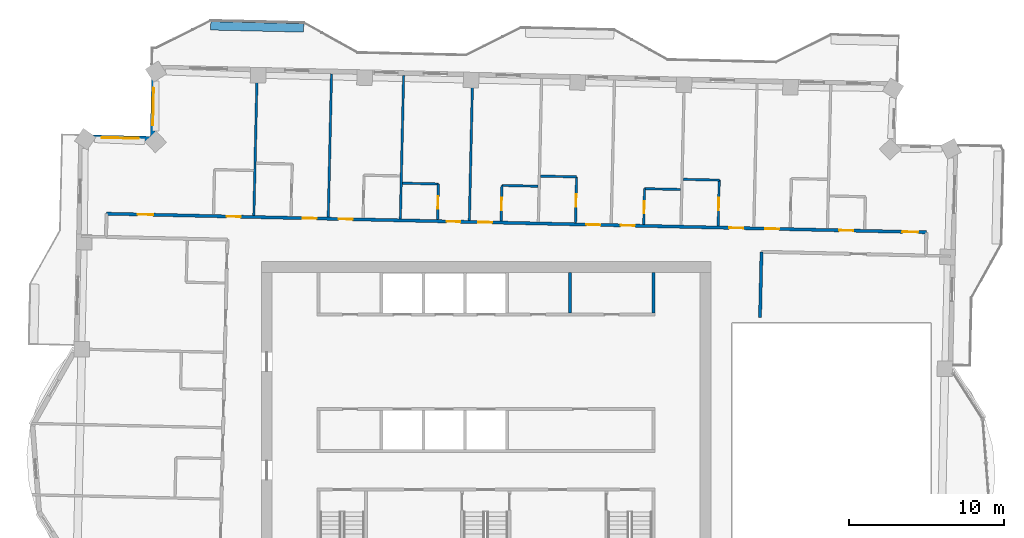
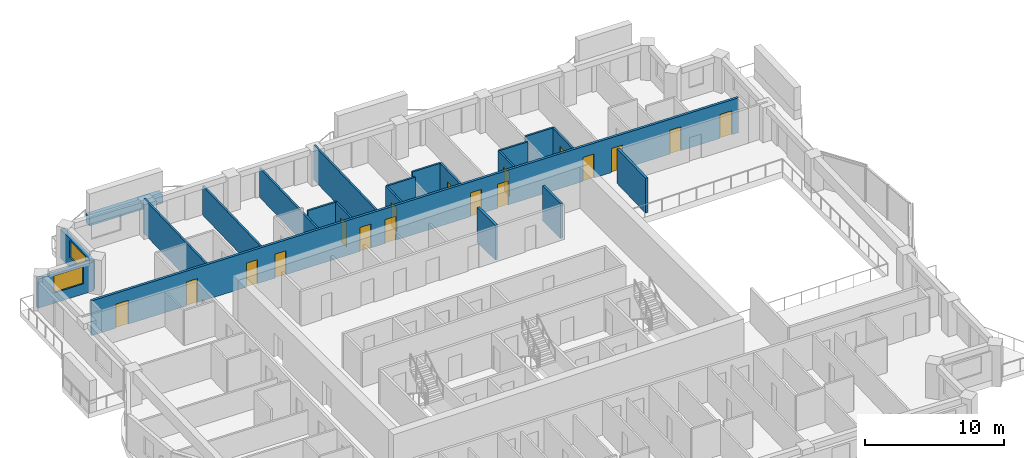
# One storey, part 11 of 17: 21 walls, 17 doors, 2 windows, 19 openings.
"""IFC4 building model written with IfcOpenShell, lengths in metres."""

from ifc_helpers import new_model, si_unit, direction, frame, frame_2d, origin, place, context, subcontext, project, spatial, rectangle, extrude, material, layer, layer_set, type_object, element, fill, save


model = new_model("IFC4")

# Units and contexts
model_context = context("Model", 3, precision=1e-05, world=origin(), true_north=direction((0.0, 1.0)))
body_context = subcontext(model_context, "Body", "Model", "MODEL_VIEW")
ifc_project = project(units=[si_unit("LENGTHUNIT", "METRE"), si_unit("AREAUNIT", "SQUARE_METRE"), si_unit("VOLUMEUNIT", "CUBIC_METRE"), si_unit("PLANEANGLEUNIT", "RADIAN"), si_unit("MASSUNIT", "GRAM", prefix="KILO")], contexts=[model_context])

# Site, building, storey
site_placement = place(None, origin())
site = spatial("IfcSite", under=ifc_project, at=site_placement, CompositionType="ELEMENT")
building_placement = place(site_placement, origin())
building = spatial("IfcBuilding", under=site, at=building_placement, Name="Mangrove Gate Tower", CompositionType="ELEMENT")
storey_placement = place(building_placement, frame((0.0, 0.0, 264.5)))
storey = spatial("IfcBuildingStorey", under=building, at=storey_placement, Name="L67", CompositionType="ELEMENT", Elevation=264.5)

# Walls
ifc_material_1 = material(Name="Concrete C32/40", Category="concrete")
ifc_layer_1 = layer(ifc_material_1, 0.199951171875)
ifc_layer_set_1 = layer_set([ifc_layer_1], Name="Core room wall 200 C32/40")
wall_type_1 = type_object("IfcWallType", Name="Core room wall 200 C32/40", PredefinedType="STANDARD", material=ifc_layer_set_1)
for number, where, z_axis, x_axis, name in (
    (1, (5.39990234375, 8.199951171875, 0.0), (0.0, 0.0, 1.0), (0.0, 1.0, 0.0), "WALL-L67-CORE-30"),
    (2, (10.800048828125, 8.199951171875, 0.0), (0.0, 0.0, 1.0), (0.0, 1.0, 0.0), "WALL-L67-CORE-31"),
):
    element("IfcWall", number, at=place(storey_placement, frame(where, z_axis=z_axis, x_axis=x_axis)), inside=storey, type_object=wall_type_1, Name=name, PredefinedType="STANDARD", context=body_context, shape_type="SweptSolid", body=[
        extrude(rectangle(XDim=2.60009765625, YDim=0.199951171875, at=frame_2d((1.300048828125, 0.0))), origin(), (0.0, 0.0, 1.0), 3.050048828125),
    ])
ifc_material_2 = material(Name="Gypsum board on steel stud, EI 60", Category="steel")
ifc_layer_2 = layer(ifc_material_2, 0.199951171875)
ifc_layer_set_2 = layer_set([ifc_layer_2], Name="Corridor wall EI 60")
wall_type_2 = type_object("IfcWallType", Name="Corridor wall EI 60", PredefinedType="PARTITIONING", material=ifc_layer_set_2)
wall_1_placement = place(storey_placement, frame((17.660888671875, 7.904052734375, 0.0), z_axis=(0.0, 0.0, 1.0), x_axis=(0.022718785711, 0.999741895079, 0.0)))
element("IfcWall", 3, at=wall_1_placement, inside=storey, type_object=wall_type_2, Name="WALL-L67-051", PredefinedType="PARTITIONING", context=body_context, shape_type="SweptSolid", body=[
    extrude(rectangle(XDim=4.23388671875, YDim=0.199951171875, at=frame_2d((2.116943359375, 0.0))), origin(), (0.0, 0.0, 1.0), 3.050048828125),
])

# Wall, openings, doors
wall_2_placement = place(storey_placement, frame((-24.47412109375, 14.595947265625, 0.0), z_axis=(0.0, 0.0, 1.0), x_axis=(0.999742424031, -0.022695497208, 0.0)))
wall_2 = element("IfcWall", 4, at=wall_2_placement, inside=storey, type_object=wall_type_2, Name="WALL-L67-060", PredefinedType="PARTITIONING", context=body_context, shape_type="SweptSolid", body=[
    extrude(rectangle(XDim=52.871826171875, YDim=0.199951171875, at=frame_2d((26.43603515625, 0.0))), origin(), (0.0, 0.0, 1.0), 3.050048828125),
])
opening_1_placement = place(wall_2_placement, frame((51.3359375, 0.0, 0.0)))
opening_1 = element("IfcOpeningElement", 5, at=opening_1_placement, cuts=wall_2, Name="Opening AD", PredefinedType="OPENING", context=body_context, shape_type="SweptSolid", body=[
    extrude(rectangle(XDim=1.0, YDim=2.10009765625, at=frame_2d((0.5, 1.050048828125))), frame((0.0, 0.10986328125, 0.0), z_axis=(0.0, -1.0, 0.0), x_axis=(1.0, 0.0, 0.0)), (0.0, 0.0, 1.0), 0.219970703125),
])
opening_2_placement = place(wall_2_placement, frame((47.25, 0.0, 0.0)))
opening_2 = element("IfcOpeningElement", 6, at=opening_2_placement, cuts=wall_2, Name="Opening SD", PredefinedType="OPENING", context=body_context, shape_type="SweptSolid", body=[
    extrude(rectangle(XDim=0.89990234375, YDim=2.10009765625, at=frame_2d((0.449951171875, 1.050048828125))), frame((0.0, 0.10986328125, 0.0), z_axis=(0.0, -1.0, 0.0), x_axis=(1.0, 0.0, 0.0)), (0.0, 0.0, 1.0), 0.219970703125),
])
opening_3_placement = place(wall_2_placement, frame((42.47509765625, 0.0, 0.0)))
opening_3 = element("IfcOpeningElement", 7, at=opening_3_placement, cuts=wall_2, Name="Opening BD", PredefinedType="OPENING", context=body_context, shape_type="SweptSolid", body=[
    extrude(rectangle(XDim=0.89990234375, YDim=2.10009765625, at=frame_2d((0.449951171875, 1.050048828125))), frame((0.0, 0.10986328125, 0.0), z_axis=(0.0, -1.0, 0.0), x_axis=(1.0, 0.0, 0.0)), (0.0, 0.0, 1.0), 0.219970703125),
])
opening_4_placement = place(wall_2_placement, frame((40.14990234375, 0.0, 0.0)))
opening_4 = element("IfcOpeningElement", 8, at=opening_4_placement, cuts=wall_2, Name="Opening BD", PredefinedType="OPENING", context=body_context, shape_type="SweptSolid", body=[
    extrude(rectangle(XDim=0.89990234375, YDim=2.10009765625, at=frame_2d((0.449951171875, 1.050048828125))), frame((0.0, 0.10986328125, 0.0), z_axis=(0.0, -1.0, 0.0), x_axis=(1.0, 0.0, 0.0)), (0.0, 0.0, 1.0), 0.219970703125),
])
opening_5_placement = place(wall_2_placement, frame((33.14990234375, 0.0, 0.0)))
opening_5 = element("IfcOpeningElement", 9, at=opening_5_placement, cuts=wall_2, Name="Opening BD", PredefinedType="OPENING", context=body_context, shape_type="SweptSolid", body=[
    extrude(rectangle(XDim=0.89990234375, YDim=2.10009765625, at=frame_2d((0.449951171875, 1.050048828125))), frame((0.0, 0.10986328125, 0.0), z_axis=(0.0, -1.0, 0.0), x_axis=(1.0, 0.0, 0.0)), (0.0, 0.0, 1.0), 0.219970703125),
])
opening_6_placement = place(wall_2_placement, frame((30.949951171875, 0.0, 0.0)))
opening_6 = element("IfcOpeningElement", 10, at=opening_6_placement, cuts=wall_2, Name="Opening BD", PredefinedType="OPENING", context=body_context, shape_type="SweptSolid", body=[
    extrude(rectangle(XDim=0.89990234375, YDim=2.10009765625, at=frame_2d((0.449951171875, 1.050048828125))), frame((0.0, 0.10986328125, 0.0), z_axis=(0.0, -1.0, 0.0), x_axis=(1.0, 0.0, 0.0)), (0.0, 0.0, 1.0), 0.219970703125),
])
opening_7_placement = place(wall_2_placement, frame((23.97509765625, 0.0, 0.0)))
opening_7 = element("IfcOpeningElement", 11, at=opening_7_placement, cuts=wall_2, Name="Opening BD", PredefinedType="OPENING", context=body_context, shape_type="SweptSolid", body=[
    extrude(rectangle(XDim=0.89990234375, YDim=2.10009765625, at=frame_2d((0.449951171875, 1.050048828125))), frame((0.0, 0.10986328125, 0.0), z_axis=(0.0, -1.0, 0.0), x_axis=(1.0, 0.0, 0.0)), (0.0, 0.0, 1.0), 0.219970703125),
])
opening_8_placement = place(wall_2_placement, frame((21.925048828125, 0.0, 0.0)))
opening_8 = element("IfcOpeningElement", 12, at=opening_8_placement, cuts=wall_2, Name="Opening BD", PredefinedType="OPENING", context=body_context, shape_type="SweptSolid", body=[
    extrude(rectangle(XDim=0.89990234375, YDim=2.10009765625, at=frame_2d((0.449951171875, 1.050048828125))), frame((0.0, 0.10986328125, 0.0), z_axis=(0.0, -1.0, 0.0), x_axis=(1.0, 0.0, 0.0)), (0.0, 0.0, 1.0), 0.219970703125),
])
opening_9_placement = place(wall_2_placement, frame((14.97509765625, 0.0, 0.0)))
opening_9 = element("IfcOpeningElement", 13, at=opening_9_placement, cuts=wall_2, Name="Opening BD", PredefinedType="OPENING", context=body_context, shape_type="SweptSolid", body=[
    extrude(rectangle(XDim=0.89990234375, YDim=2.10009765625, at=frame_2d((0.449951171875, 1.050048828125))), frame((0.0, 0.10986328125, 0.0), z_axis=(0.0, -1.0, 0.0), x_axis=(1.0, 0.0, 0.0)), (0.0, 0.0, 1.0), 0.219970703125),
])
opening_10_placement = place(wall_2_placement, frame((12.64990234375, 0.0, 0.0)))
opening_10 = element("IfcOpeningElement", 14, at=opening_10_placement, cuts=wall_2, Name="Opening BD", PredefinedType="OPENING", context=body_context, shape_type="SweptSolid", body=[
    extrude(rectangle(XDim=0.89990234375, YDim=2.10009765625, at=frame_2d((0.449951171875, 1.050048828125))), frame((0.0, 0.10986328125, 0.0), z_axis=(0.0, -1.0, 0.0), x_axis=(1.0, 0.0, 0.0)), (0.0, 0.0, 1.0), 0.219970703125),
])
opening_11_placement = place(wall_2_placement, frame((2.0, 0.0, 0.0)))
opening_11 = element("IfcOpeningElement", 15, at=opening_11_placement, cuts=wall_2, Name="Opening AD", PredefinedType="OPENING", context=body_context, shape_type="SweptSolid", body=[
    extrude(rectangle(XDim=1.0, YDim=2.10009765625, at=frame_2d((0.5, 1.050048828125))), frame((0.0, 0.10986328125, 0.0), z_axis=(0.0, -1.0, 0.0), x_axis=(1.0, 0.0, 0.0)), (0.0, 0.0, 1.0), 0.219970703125),
])
opening_12_placement = place(wall_2_placement, frame((7.75, 0.0, 0.0)))
opening_12 = element("IfcOpeningElement", 16, at=opening_12_placement, cuts=wall_2, Name="Opening SD", PredefinedType="OPENING", context=body_context, shape_type="SweptSolid", body=[
    extrude(rectangle(XDim=0.89990234375, YDim=2.10009765625, at=frame_2d((0.449951171875, 1.050048828125))), frame((0.0, 0.10986328125, 0.0), z_axis=(0.0, -1.0, 0.0), x_axis=(1.0, 0.0, 0.0)), (0.0, 0.0, 1.0), 0.219970703125),
])
ifc_material_3 = material(Name="Timber door leaf", Category="wood")
door_type_1 = type_object("IfcDoorType", Name="Amenity door 1000", OperationType="SINGLE_SWING_LEFT", PredefinedType="DOOR", material=ifc_material_3)
door_1_placement = place(opening_1_placement, origin())
door_1 = element("IfcDoor", 17, at=door_1_placement, inside=storey, type_object=door_type_1, Name="DOOR-L67-STU-c3a", OperationType="SINGLE_SWING_LEFT", OverallHeight=2.10009765625, OverallWidth=1.0, PredefinedType="DOOR", context=body_context, shape_type="SweptSolid", body=[
    extrude(rectangle(XDim=1.0, YDim=2.10009765625, at=frame_2d((0.5, 1.050048828125))), frame((0.0, 0.02490234375, 0.0), z_axis=(0.0, -1.0, 0.0), x_axis=(1.0, 0.0, 0.0)), (0.0, 0.0, 1.0), 0.050048828125),
])
fill(opening_1, door_1)
door_2_placement = place(opening_11_placement, origin())
door_2 = element("IfcDoor", 18, at=door_2_placement, inside=storey, type_object=door_type_1, Name="DOOR-L67-GAM-c5a", OperationType="SINGLE_SWING_RIGHT", OverallHeight=2.10009765625, OverallWidth=1.0, PredefinedType="DOOR", context=body_context, shape_type="SweptSolid", body=[
    extrude(rectangle(XDim=1.0, YDim=2.10009765625, at=frame_2d((0.5, 1.050048828125))), frame((0.0, 0.02490234375, 0.0), z_axis=(0.0, -1.0, 0.0), x_axis=(1.0, 0.0, 0.0)), (0.0, 0.0, 1.0), 0.050048828125),
])
fill(opening_11, door_2)
ifc_material_4 = material(Name="Timber door leaf", Category="wood")
door_type_2 = type_object("IfcDoorType", Name="Bedroom door 900", OperationType="SINGLE_SWING_LEFT", PredefinedType="DOOR", material=ifc_material_4)
door_3_placement = place(opening_3_placement, origin())
door_3 = element("IfcDoor", 19, at=door_3_placement, inside=storey, type_object=door_type_2, Name="DOOR-L67-BED-c310", OperationType="SINGLE_SWING_RIGHT", OverallHeight=2.10009765625, OverallWidth=0.89990234375, PredefinedType="DOOR", context=body_context, shape_type="SweptSolid", body=[
    extrude(rectangle(XDim=0.89990234375, YDim=2.10009765625, at=frame_2d((0.449951171875, 1.050048828125))), frame((0.0, 0.02490234375, 0.0), z_axis=(0.0, -1.0, 0.0), x_axis=(1.0, 0.0, 0.0)), (0.0, 0.0, 1.0), 0.050048828125),
])
fill(opening_3, door_3)
door_4_placement = place(opening_4_placement, origin())
door_4 = element("IfcDoor", 20, at=door_4_placement, inside=storey, type_object=door_type_2, Name="DOOR-L67-BED-c311", OperationType="SINGLE_SWING_LEFT", OverallHeight=2.10009765625, OverallWidth=0.89990234375, PredefinedType="DOOR", context=body_context, shape_type="SweptSolid", body=[
    extrude(rectangle(XDim=0.89990234375, YDim=2.10009765625, at=frame_2d((0.449951171875, 1.050048828125))), frame((0.0, 0.02490234375, 0.0), z_axis=(0.0, -1.0, 0.0), x_axis=(1.0, 0.0, 0.0)), (0.0, 0.0, 1.0), 0.050048828125),
])
fill(opening_4, door_4)
door_5_placement = place(opening_5_placement, origin())
door_5 = element("IfcDoor", 21, at=door_5_placement, inside=storey, type_object=door_type_2, Name="DOOR-L67-BED-c412", OperationType="SINGLE_SWING_RIGHT", OverallHeight=2.10009765625, OverallWidth=0.89990234375, PredefinedType="DOOR", context=body_context, shape_type="SweptSolid", body=[
    extrude(rectangle(XDim=0.89990234375, YDim=2.10009765625, at=frame_2d((0.449951171875, 1.050048828125))), frame((0.0, 0.02490234375, 0.0), z_axis=(0.0, -1.0, 0.0), x_axis=(1.0, 0.0, 0.0)), (0.0, 0.0, 1.0), 0.050048828125),
])
fill(opening_5, door_5)
door_6_placement = place(opening_6_placement, origin())
door_6 = element("IfcDoor", 22, at=door_6_placement, inside=storey, type_object=door_type_2, Name="DOOR-L67-BED-c413", OperationType="SINGLE_SWING_LEFT", OverallHeight=2.10009765625, OverallWidth=0.89990234375, PredefinedType="DOOR", context=body_context, shape_type="SweptSolid", body=[
    extrude(rectangle(XDim=0.89990234375, YDim=2.10009765625, at=frame_2d((0.449951171875, 1.050048828125))), frame((0.0, 0.02490234375, 0.0), z_axis=(0.0, -1.0, 0.0), x_axis=(1.0, 0.0, 0.0)), (0.0, 0.0, 1.0), 0.050048828125),
])
fill(opening_6, door_6)
door_7_placement = place(opening_7_placement, origin())
door_7 = element("IfcDoor", 23, at=door_7_placement, inside=storey, type_object=door_type_2, Name="DOOR-L67-BED-c414", OperationType="SINGLE_SWING_RIGHT", OverallHeight=2.10009765625, OverallWidth=0.89990234375, PredefinedType="DOOR", context=body_context, shape_type="SweptSolid", body=[
    extrude(rectangle(XDim=0.89990234375, YDim=2.10009765625, at=frame_2d((0.449951171875, 1.050048828125))), frame((0.0, 0.02490234375, 0.0), z_axis=(0.0, -1.0, 0.0), x_axis=(1.0, 0.0, 0.0)), (0.0, 0.0, 1.0), 0.050048828125),
])
fill(opening_7, door_7)
door_8_placement = place(opening_8_placement, origin())
door_8 = element("IfcDoor", 24, at=door_8_placement, inside=storey, type_object=door_type_2, Name="DOOR-L67-BED-c515", OperationType="SINGLE_SWING_LEFT", OverallHeight=2.10009765625, OverallWidth=0.89990234375, PredefinedType="DOOR", context=body_context, shape_type="SweptSolid", body=[
    extrude(rectangle(XDim=0.89990234375, YDim=2.10009765625, at=frame_2d((0.449951171875, 1.050048828125))), frame((0.0, 0.02490234375, 0.0), z_axis=(0.0, -1.0, 0.0), x_axis=(1.0, 0.0, 0.0)), (0.0, 0.0, 1.0), 0.050048828125),
])
fill(opening_8, door_8)
door_9_placement = place(opening_9_placement, origin())
door_9 = element("IfcDoor", 25, at=door_9_placement, inside=storey, type_object=door_type_2, Name="DOOR-L67-BED-c516", OperationType="SINGLE_SWING_RIGHT", OverallHeight=2.10009765625, OverallWidth=0.89990234375, PredefinedType="DOOR", context=body_context, shape_type="SweptSolid", body=[
    extrude(rectangle(XDim=0.89990234375, YDim=2.10009765625, at=frame_2d((0.449951171875, 1.050048828125))), frame((0.0, 0.02490234375, 0.0), z_axis=(0.0, -1.0, 0.0), x_axis=(1.0, 0.0, 0.0)), (0.0, 0.0, 1.0), 0.050048828125),
])
fill(opening_9, door_9)
door_10_placement = place(opening_10_placement, origin())
door_10 = element("IfcDoor", 26, at=door_10_placement, inside=storey, type_object=door_type_2, Name="DOOR-L67-BED-c517", OperationType="SINGLE_SWING_LEFT", OverallHeight=2.10009765625, OverallWidth=0.89990234375, PredefinedType="DOOR", context=body_context, shape_type="SweptSolid", body=[
    extrude(rectangle(XDim=0.89990234375, YDim=2.10009765625, at=frame_2d((0.449951171875, 1.050048828125))), frame((0.0, 0.02490234375, 0.0), z_axis=(0.0, -1.0, 0.0), x_axis=(1.0, 0.0, 0.0)), (0.0, 0.0, 1.0), 0.050048828125),
])
fill(opening_10, door_10)
ifc_material_5 = material(Name="Timber door leaf", Category="wood")
door_type_3 = type_object("IfcDoorType", Name="Service room door 900", OperationType="SINGLE_SWING_LEFT", PredefinedType="DOOR", material=ifc_material_5)
door_11_placement = place(opening_2_placement, origin())
door_11 = element("IfcDoor", 27, at=door_11_placement, inside=storey, type_object=door_type_3, Name="DOOR-L67-LIN-c3a", OperationType="SINGLE_SWING_LEFT", OverallHeight=2.10009765625, OverallWidth=0.89990234375, PredefinedType="DOOR", context=body_context, shape_type="SweptSolid", body=[
    extrude(rectangle(XDim=0.89990234375, YDim=2.10009765625, at=frame_2d((0.449951171875, 1.050048828125))), frame((0.0, 0.02490234375, 0.0), z_axis=(0.0, -1.0, 0.0), x_axis=(1.0, 0.0, 0.0)), (0.0, 0.0, 1.0), 0.050048828125),
])
fill(opening_2, door_11)
door_12_placement = place(opening_12_placement, origin())
door_12 = element("IfcDoor", 28, at=door_12_placement, inside=storey, type_object=door_type_3, Name="DOOR-L67-AWC-c5a", OperationType="SINGLE_SWING_RIGHT", OverallHeight=2.10009765625, OverallWidth=0.89990234375, PredefinedType="DOOR", context=body_context, shape_type="SweptSolid", body=[
    extrude(rectangle(XDim=0.89990234375, YDim=2.10009765625, at=frame_2d((0.449951171875, 1.050048828125))), frame((0.0, 0.02490234375, 0.0), z_axis=(0.0, -1.0, 0.0), x_axis=(1.0, 0.0, 0.0)), (0.0, 0.0, 1.0), 0.050048828125),
])
fill(opening_12, door_12)

# Wall, opening, window
ifc_material_6 = material(Name="Limestone", Category="masonry")
ifc_layer_3 = layer(ifc_material_6, 0.0400390625, Name="Limestone cladding")
ifc_material_7 = material(Name="Ventilated air gap")
ifc_layer_4 = layer(ifc_material_7, 0.0400390625, Name="Ventilated cavity")
ifc_material_8 = material(Name="Mineral wool insulation")
ifc_layer_5 = layer(ifc_material_8, 0.06005859375, Name="Insulation")
ifc_material_9 = material(Name="Breather membrane")
ifc_layer_6 = layer(ifc_material_9, 0.001953125, Name="Breather membrane")
ifc_material_10 = material(Name="Concrete C20/25 blockwork", Category="masonry")
ifc_layer_7 = layer(ifc_material_10, 0.14990234375, Name="Blockwork backing wall")
ifc_material_11 = material(Name="Gypsum plaster")
ifc_layer_8 = layer(ifc_material_11, 0.008056640625, Name="Internal plaster")
ifc_layer_set_3 = layer_set([ifc_layer_3, ifc_layer_4, ifc_layer_5, ifc_layer_6, ifc_layer_7, ifc_layer_8], Name="External wall 300 limestone cladding")
wall_type_3 = type_object("IfcWallType", Name="External wall 300 limestone cladding", PredefinedType="SOLIDWALL", material=ifc_layer_set_3)
wall_3_placement = place(storey_placement, frame((-21.408935546875, 24.029052734375, 0.0), z_axis=(0.0, 0.0, 1.0), x_axis=(-0.022820258049, -0.999739584003, 0.0)))
wall_3 = element("IfcWall", 29, at=wall_3_placement, inside=storey, type_object=wall_type_3, Name="WALL-L67-W6", PredefinedType="SOLIDWALL", context=body_context, shape_type="SweptSolid", body=[
    extrude(rectangle(XDim=4.600341796875, YDim=0.300048828125, at=frame_2d((2.30029296875, 0.0))), origin(), (0.0, 0.0, 1.0), 2.550048828125),
])
opening_13_placement = place(wall_3_placement, frame((1.327880859375, 0.0, 0.89990234375)))
opening_13 = element("IfcOpeningElement", 30, at=opening_13_placement, cuts=wall_3, Name="Opening W2", PredefinedType="OPENING", context=body_context, shape_type="SweptSolid", body=[
    extrude(rectangle(XDim=2.39990234375, YDim=1.5, at=frame_2d((1.199951171875, 0.75))), frame((0.0, 0.159912109375, 0.0), z_axis=(0.0, -1.0, 0.0), x_axis=(1.0, 0.0, 0.0)), (0.0, 0.0, 1.0), 0.320068359375),
])
ifc_material_12 = material(Name="Aluminium frame with double-glazed low-e glass", Category="aluminium")
window_type = type_object("IfcWindowType", Name="Corner room window 2400x1500", PartitioningType="DOUBLE_PANEL_VERTICAL", PredefinedType="WINDOW", material=ifc_material_12)
window_1_placement = place(opening_13_placement, origin())
window_1 = element("IfcWindow", 31, at=window_1_placement, inside=storey, type_object=window_type, Name="WIN-L67-W6-1", OverallHeight=1.5, OverallWidth=2.39990234375, PartitioningType="DOUBLE_PANEL_VERTICAL", PredefinedType="WINDOW", context=body_context, shape_type="SweptSolid", body=[
    extrude(rectangle(XDim=2.39990234375, YDim=1.5, at=frame_2d((1.199951171875, 0.75))), frame((0.0, 0.030029296875, 0.0), z_axis=(0.0, -1.0, 0.0), x_axis=(1.0, 0.0, 0.0)), (0.0, 0.0, 1.0), 0.06005859375),
])
fill(opening_13, window_1)

wall_4_placement = place(storey_placement, frame((-21.513916015625, 19.429931640625, 0.0), z_axis=(0.0, 0.0, 1.0), x_axis=(-0.999744404568, 0.02260808559, 0.0)))
wall_4 = element("IfcWall", 32, at=wall_4_placement, inside=storey, type_object=wall_type_3, Name="WALL-L67-N7", PredefinedType="SOLIDWALL", context=body_context, shape_type="SweptSolid", body=[
    extrude(rectangle(XDim=4.600341796875, YDim=0.300048828125, at=frame_2d((2.30029296875, 0.0))), origin(), (0.0, 0.0, 1.0), 2.550048828125),
])
opening_14_placement = place(wall_4_placement, frame((0.8720703125, 0.0, 0.89990234375)))
opening_14 = element("IfcOpeningElement", 33, at=opening_14_placement, cuts=wall_4, Name="Opening W2", PredefinedType="OPENING", context=body_context, shape_type="SweptSolid", body=[
    extrude(rectangle(XDim=2.39990234375, YDim=1.5, at=frame_2d((1.199951171875, 0.75))), frame((0.0, 0.159912109375, 0.0), z_axis=(0.0, -1.0, 0.0), x_axis=(1.0, 0.0, 0.0)), (0.0, 0.0, 1.0), 0.320068359375),
])
window_2_placement = place(opening_14_placement, origin())
window_2 = element("IfcWindow", 34, at=window_2_placement, inside=storey, type_object=window_type, Name="WIN-L67-N7-1", OverallHeight=1.5, OverallWidth=2.39990234375, PartitioningType="DOUBLE_PANEL_VERTICAL", PredefinedType="WINDOW", context=body_context, shape_type="SweptSolid", body=[
    extrude(rectangle(XDim=2.39990234375, YDim=1.5, at=frame_2d((1.199951171875, 0.75))), frame((0.0, 0.030029296875, 0.0), z_axis=(0.0, -1.0, 0.0), x_axis=(1.0, 0.0, 0.0)), (0.0, 0.0, 1.0), 0.06005859375),
])
fill(opening_14, window_2)

# Walls
ifc_material_13 = material(Name="Gypsum board on steel stud, EI 60", Category="steel")
ifc_layer_9 = layer(ifc_material_13, 0.14990234375)
ifc_layer_set_4 = layer_set([ifc_layer_9], Name="Party wall 150 EI 60")
wall_type_4 = type_object("IfcWallType", Name="Party wall 150 EI 60", PredefinedType="PARTITIONING", material=ifc_layer_set_4)
wall_5_placement = place(storey_placement, frame((-14.97802734375, 14.47998046875, 0.0), z_axis=(0.0, 0.0, 1.0), x_axis=(0.022697424684, 0.999742380272, 0.0)))
element("IfcWall", 35, at=wall_5_placement, inside=storey, type_object=wall_type_4, Name="WALL-L67-062", PredefinedType="PARTITIONING", context=body_context, shape_type="SweptSolid", body=[
    extrude(rectangle(XDim=9.25048828125, YDim=0.14990234375, at=frame_2d((4.625244140625, 0.0))), origin(), (0.0, 0.0, 1.0), 3.050048828125),
])
for number, where, z_axis, x_axis, name in (
    (36, (-10.179931640625, 14.37109375, 0.0), (0.0, 0.0, 1.0), (0.022698023584, 0.999742366675, 0.0), "WALL-L67-064"),
    (37, (-5.531005859375, 14.26611328125, 0.0), (0.0, 0.0, 1.0), (0.022698023584, 0.999742366675, 0.0), "WALL-L67-066"),
):
    element("IfcWall", number, at=place(storey_placement, frame(where, z_axis=z_axis, x_axis=x_axis)), inside=storey, type_object=wall_type_4, Name=name, PredefinedType="PARTITIONING", context=body_context, shape_type="SweptSolid", body=[
        extrude(rectangle(XDim=9.250244140625, YDim=0.14990234375, at=frame_2d((4.625, 0.0))), origin(), (0.0, 0.0, 1.0), 2.550048828125),
    ])

# Wall, opening, door
wall_6_placement = place(storey_placement, frame((-3.131103515625, 14.2109375, 0.0), z_axis=(0.0, 0.0, 1.0), x_axis=(0.022603288534, 0.999744513037, 0.0)))
wall_6 = element("IfcWall", 38, at=wall_6_placement, inside=storey, type_object=wall_type_4, Name="WALL-L67-067", PredefinedType="PARTITIONING", context=body_context, shape_type="SweptSolid", body=[
    extrude(rectangle(XDim=2.300537109375, YDim=0.14990234375, at=frame_2d((1.150390625, 0.0))), origin(), (0.0, 0.0, 1.0), 3.050048828125),
])
opening_15_placement = place(wall_6_placement, frame((0.699951171875, 0.0, 0.0)))
opening_15 = element("IfcOpeningElement", 39, at=opening_15_placement, cuts=wall_6, Name="Opening ED", PredefinedType="OPENING", context=body_context, shape_type="SweptSolid", body=[
    extrude(rectangle(XDim=0.800048828125, YDim=2.10009765625, at=frame_2d((0.39990234375, 1.050048828125))), frame((0.0, 0.0849609375, 0.0), z_axis=(0.0, -1.0, 0.0), x_axis=(1.0, 0.0, 0.0)), (0.0, 0.0, 1.0), 0.169921875),
])
ifc_material_14 = material(Name="Timber door leaf", Category="wood")
door_type_4 = type_object("IfcDoorType", Name="En-suite door 800", OperationType="SINGLE_SWING_LEFT", PredefinedType="DOOR", material=ifc_material_14)
door_13_placement = place(opening_15_placement, origin())
door_13 = element("IfcDoor", 40, at=door_13_placement, inside=storey, type_object=door_type_4, Name="DOOR-L67-ENS-c515", OperationType="SINGLE_SWING_LEFT", OverallHeight=2.10009765625, OverallWidth=0.800048828125, PredefinedType="DOOR", context=body_context, shape_type="SweptSolid", body=[
    extrude(rectangle(XDim=0.800048828125, YDim=2.10009765625, at=frame_2d((0.39990234375, 1.050048828125))), frame((0.0, 0.02490234375, 0.0), z_axis=(0.0, -1.0, 0.0), x_axis=(1.0, 0.0, 0.0)), (0.0, 0.0, 1.0), 0.050048828125),
])
fill(opening_15, door_13)

# Wall
wall_7_placement = place(storey_placement, frame((-1.08203125, 14.1650390625, 0.0), z_axis=(0.0, 0.0, 1.0), x_axis=(0.022697424684, 0.999742380272, 0.0)))
element("IfcWall", 41, at=wall_7_placement, inside=storey, type_object=wall_type_4, Name="WALL-L67-068", PredefinedType="PARTITIONING", context=body_context, shape_type="SweptSolid", body=[
    extrude(rectangle(XDim=9.25048828125, YDim=0.14990234375, at=frame_2d((4.625244140625, 0.0))), origin(), (0.0, 0.0, 1.0), 3.050048828125),
])

# Wall, opening, door
wall_8_placement = place(storey_placement, frame((0.968017578125, 14.117919921875, 0.0), z_axis=(0.0, 0.0, 1.0), x_axis=(0.022603288534, 0.999744513037, 0.0)))
wall_8 = element("IfcWall", 42, at=wall_8_placement, inside=storey, type_object=wall_type_4, Name="WALL-L67-069", PredefinedType="PARTITIONING", context=body_context, shape_type="SweptSolid", body=[
    extrude(rectangle(XDim=2.300537109375, YDim=0.14990234375, at=frame_2d((1.150390625, 0.0))), origin(), (0.0, 0.0, 1.0), 3.050048828125),
])
opening_16_placement = place(wall_8_placement, frame((0.699951171875, 0.0, 0.0)))
opening_16 = element("IfcOpeningElement", 43, at=opening_16_placement, cuts=wall_8, Name="Opening ED", PredefinedType="OPENING", context=body_context, shape_type="SweptSolid", body=[
    extrude(rectangle(XDim=0.800048828125, YDim=2.10009765625, at=frame_2d((0.39990234375, 1.050048828125))), frame((0.0, 0.0849609375, 0.0), z_axis=(0.0, -1.0, 0.0), x_axis=(1.0, 0.0, 0.0)), (0.0, 0.0, 1.0), 0.169921875),
])
door_14_placement = place(opening_16_placement, origin())
door_14 = element("IfcDoor", 44, at=door_14_placement, inside=storey, type_object=door_type_4, Name="DOOR-L67-ENS-c414", OperationType="SINGLE_SWING_RIGHT", OverallHeight=2.10009765625, OverallWidth=0.800048828125, PredefinedType="DOOR", context=body_context, shape_type="SweptSolid", body=[
    extrude(rectangle(XDim=0.800048828125, YDim=2.10009765625, at=frame_2d((0.39990234375, 1.050048828125))), frame((0.0, 0.02490234375, 0.0), z_axis=(0.0, -1.0, 0.0), x_axis=(1.0, 0.0, 0.0)), (0.0, 0.0, 1.0), 0.050048828125),
])
fill(opening_16, door_14)

wall_9_placement = place(storey_placement, frame((5.76611328125, 14.010009765625, 0.0), z_axis=(0.0, 0.0, 1.0), x_axis=(0.022601485787, 0.999744553794, 0.0)))
wall_9 = element("IfcWall", 45, at=wall_9_placement, inside=storey, type_object=wall_type_4, Name="WALL-L67-071", PredefinedType="PARTITIONING", context=body_context, shape_type="SweptSolid", body=[
    extrude(rectangle(XDim=2.959716796875, YDim=0.14990234375, at=frame_2d((1.47998046875, 0.0))), origin(), (0.0, 0.0, 1.0), 3.050048828125),
])
opening_17_placement = place(wall_9_placement, frame((1.030029296875, 0.0, 0.0)))
opening_17 = element("IfcOpeningElement", 46, at=opening_17_placement, cuts=wall_9, Name="Opening ED", PredefinedType="OPENING", context=body_context, shape_type="SweptSolid", body=[
    extrude(rectangle(XDim=0.800048828125, YDim=2.10009765625, at=frame_2d((0.39990234375, 1.050048828125))), frame((0.0, 0.0849609375, 0.0), z_axis=(0.0, -1.0, 0.0), x_axis=(1.0, 0.0, 0.0)), (0.0, 0.0, 1.0), 0.169921875),
])
door_15_placement = place(opening_17_placement, origin())
door_15 = element("IfcDoor", 47, at=door_15_placement, inside=storey, type_object=door_type_4, Name="DOOR-L67-ENS-c413", OperationType="SINGLE_SWING_LEFT", OverallHeight=2.10009765625, OverallWidth=0.800048828125, PredefinedType="DOOR", context=body_context, shape_type="SweptSolid", body=[
    extrude(rectangle(XDim=0.800048828125, YDim=2.10009765625, at=frame_2d((0.39990234375, 1.050048828125))), frame((0.0, 0.02490234375, 0.0), z_axis=(0.0, -1.0, 0.0), x_axis=(1.0, 0.0, 0.0)), (0.0, 0.0, 1.0), 0.050048828125),
])
fill(opening_17, door_15)

wall_10_placement = place(storey_placement, frame((10.1650390625, 13.909912109375, 0.0), z_axis=(0.0, 0.0, 1.0), x_axis=(0.022612884682, 0.999744296031, 0.0)))
wall_10 = element("IfcWall", 48, at=wall_10_placement, inside=storey, type_object=wall_type_4, Name="WALL-L67-073", PredefinedType="PARTITIONING", context=body_context, shape_type="SweptSolid", body=[
    extrude(rectangle(XDim=2.299560546875, YDim=0.14990234375, at=frame_2d((1.14990234375, 0.0))), origin(), (0.0, 0.0, 1.0), 3.050048828125),
])
opening_18_placement = place(wall_10_placement, frame((0.699951171875, 0.0, 0.0)))
opening_18 = element("IfcOpeningElement", 49, at=opening_18_placement, cuts=wall_10, Name="Opening ED", PredefinedType="OPENING", context=body_context, shape_type="SweptSolid", body=[
    extrude(rectangle(XDim=0.800048828125, YDim=2.10009765625, at=frame_2d((0.39990234375, 1.050048828125))), frame((0.0, 0.0849609375, 0.0), z_axis=(0.0, -1.0, 0.0), x_axis=(1.0, 0.0, 0.0)), (0.0, 0.0, 1.0), 0.169921875),
])
door_16_placement = place(opening_18_placement, origin())
door_16 = element("IfcDoor", 50, at=door_16_placement, inside=storey, type_object=door_type_4, Name="DOOR-L67-ENS-c412", OperationType="SINGLE_SWING_RIGHT", OverallHeight=2.10009765625, OverallWidth=0.800048828125, PredefinedType="DOOR", context=body_context, shape_type="SweptSolid", body=[
    extrude(rectangle(XDim=0.800048828125, YDim=2.10009765625, at=frame_2d((0.39990234375, 1.050048828125))), frame((0.0, 0.02490234375, 0.0), z_axis=(0.0, -1.0, 0.0), x_axis=(1.0, 0.0, 0.0)), (0.0, 0.0, 1.0), 0.050048828125),
])
fill(opening_18, door_16)

wall_11_placement = place(storey_placement, frame((14.964111328125, 13.801025390625, 0.0), z_axis=(0.0, 0.0, 1.0), x_axis=(0.022601485787, 0.999744553794, 0.0)))
wall_11 = element("IfcWall", 51, at=wall_11_placement, inside=storey, type_object=wall_type_4, Name="WALL-L67-075", PredefinedType="PARTITIONING", context=body_context, shape_type="SweptSolid", body=[
    extrude(rectangle(XDim=2.959716796875, YDim=0.14990234375, at=frame_2d((1.47998046875, 0.0))), origin(), (0.0, 0.0, 1.0), 3.050048828125),
])
opening_19_placement = place(wall_11_placement, frame((1.030029296875, 0.0, 0.0)))
opening_19 = element("IfcOpeningElement", 52, at=opening_19_placement, cuts=wall_11, Name="Opening ED", PredefinedType="OPENING", context=body_context, shape_type="SweptSolid", body=[
    extrude(rectangle(XDim=0.800048828125, YDim=2.10009765625, at=frame_2d((0.39990234375, 1.050048828125))), frame((0.0, 0.0849609375, 0.0), z_axis=(0.0, -1.0, 0.0), x_axis=(1.0, 0.0, 0.0)), (0.0, 0.0, 1.0), 0.169921875),
])
door_17_placement = place(opening_19_placement, origin())
door_17 = element("IfcDoor", 53, at=door_17_placement, inside=storey, type_object=door_type_4, Name="DOOR-L67-ENS-c311", OperationType="SINGLE_SWING_LEFT", OverallHeight=2.10009765625, OverallWidth=0.800048828125, PredefinedType="DOOR", context=body_context, shape_type="SweptSolid", body=[
    extrude(rectangle(XDim=0.800048828125, YDim=2.10009765625, at=frame_2d((0.39990234375, 1.050048828125))), frame((0.0, 0.02490234375, 0.0), z_axis=(0.0, -1.0, 0.0), x_axis=(1.0, 0.0, 0.0)), (0.0, 0.0, 1.0), 0.050048828125),
])
fill(opening_19, door_17)

# Walls
wall_12_placement = place(storey_placement, frame((-5.39990234375, 16.56298828125, 0.0), z_axis=(0.0, 0.0, 1.0), x_axis=(0.999749954681, -0.022361308448, 0.0)))
element("IfcWall", 54, at=wall_12_placement, inside=storey, type_object=wall_type_4, Name="WALL-L67-081", PredefinedType="PARTITIONING", context=body_context, shape_type="SweptSolid", body=[
    extrude(rectangle(XDim=2.325439453125, YDim=0.14990234375, at=frame_2d((1.16259765625, 0.0))), origin(), (0.0, 0.0, 1.0), 3.050048828125),
])
wall_13_placement = place(storey_placement, frame((1.02392578125, 16.41796875, 0.0), z_axis=(0.0, 0.0, 1.0), x_axis=(0.999740260747, -0.02279059109, 0.0)))
element("IfcWall", 55, at=wall_13_placement, inside=storey, type_object=wall_type_4, Name="WALL-L67-082", PredefinedType="PARTITIONING", context=body_context, shape_type="SweptSolid", body=[
    extrude(rectangle(XDim=2.324462890625, YDim=0.14990234375, at=frame_2d((1.162109375, 0.0))), origin(), (0.0, 0.0, 1.0), 3.050048828125),
])
wall_14_placement = place(storey_placement, frame((10.220947265625, 16.208984375, 0.0), z_axis=(0.0, 0.0, 1.0), x_axis=(0.999740478815, -0.022781023197, 0.0)))
element("IfcWall", 56, at=wall_14_placement, inside=storey, type_object=wall_type_4, Name="WALL-L67-083", PredefinedType="PARTITIONING", context=body_context, shape_type="SweptSolid", body=[
    extrude(rectangle(XDim=2.325439453125, YDim=0.14990234375, at=frame_2d((1.16259765625, 0.0))), origin(), (0.0, 0.0, 1.0), 3.050048828125),
])
for number, where, z_axis, x_axis, name in (
    (57, (3.512939453125, 17.02099609375, 0.0), (0.0, 0.0, 1.0), (0.999749744571, -0.022370700241, 0.0), "WALL-L67-086"),
    (58, (12.7109375, 16.81298828125, 0.0), (0.0, 0.0, 1.0), (0.999740260747, -0.02279059109, 0.0), "WALL-L67-087"),
):
    element("IfcWall", number, at=place(storey_placement, frame(where, z_axis=z_axis, x_axis=x_axis)), inside=storey, type_object=wall_type_4, Name=name, PredefinedType="PARTITIONING", context=body_context, shape_type="SweptSolid", body=[
        extrude(rectangle(XDim=2.324462890625, YDim=0.14990234375, at=frame_2d((1.162109375, 0.0))), origin(), (0.0, 0.0, 1.0), 3.050048828125),
    ])
ifc_material_15 = material(Name="Concrete C32/40", Category="concrete")
ifc_layer_10 = layer(ifc_material_15, 0.199951171875, Name="Planter trough wall")
ifc_material_16 = material(Name="Bituminous waterproofing membrane")
ifc_layer_11 = layer(ifc_material_16, 0.0048828125, Name="Waterproofing")
ifc_material_17 = material(Name="Drainage board and gravel")
ifc_layer_12 = layer(ifc_material_17, 0.044921875, Name="Drainage layer")
ifc_material_18 = material(Name="Planting soil")
ifc_layer_13 = layer(ifc_material_18, 0.300048828125, Name="Growing medium")
ifc_layer_set_5 = layer_set([ifc_layer_10, ifc_layer_11, ifc_layer_12, ifc_layer_13], Name="Planter wall 550 C32/40")
wall_type_5 = type_object("IfcWallType", Name="Planter wall 550 C32/40", PredefinedType="USERDEFINED", material=ifc_layer_set_5)
wall_15_placement = place(storey_placement, frame((-17.760986328125, 26.7119140625, 0.0), z_axis=(0.0, 0.0, 1.0), x_axis=(0.999739392852, -0.022828630714, 0.0)))
element("IfcWall", 59, at=wall_15_placement, inside=storey, type_object=wall_type_5, Name="PLANTER L67 N1.1", ObjectType="PLANTER", PredefinedType="USERDEFINED", context=body_context, shape_type="SweptSolid", body=[
    extrude(rectangle(XDim=5.99951171875, YDim=0.550048828125, at=frame_2d((2.999755859375, 0.0))), origin(), (0.0, 0.0, 1.0), 0.800048828125),
])

save(model, "model.ifc")
